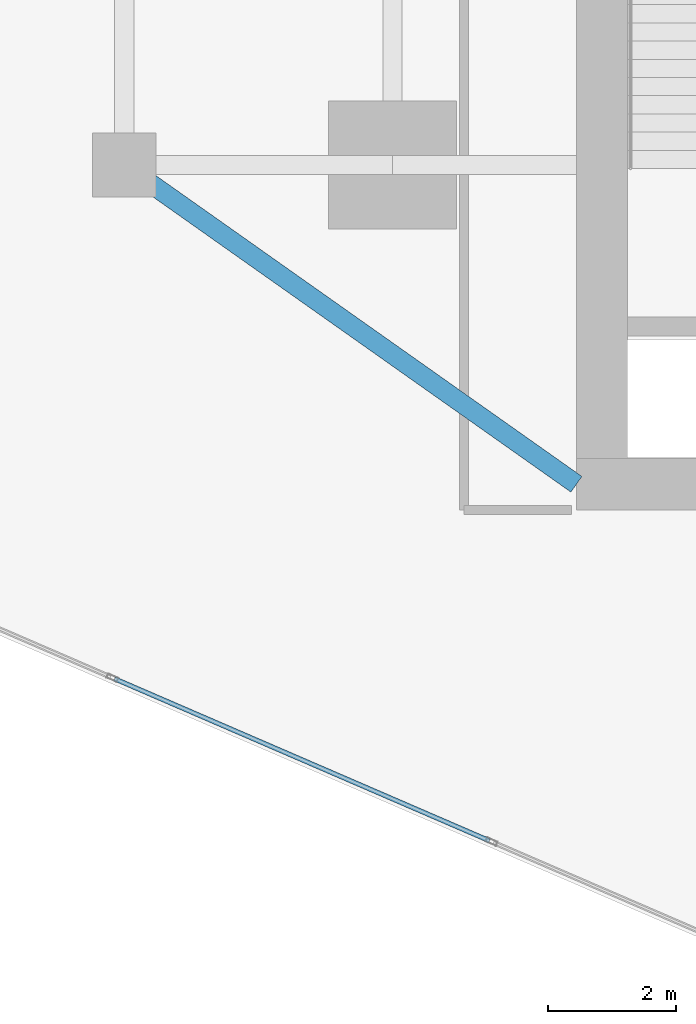
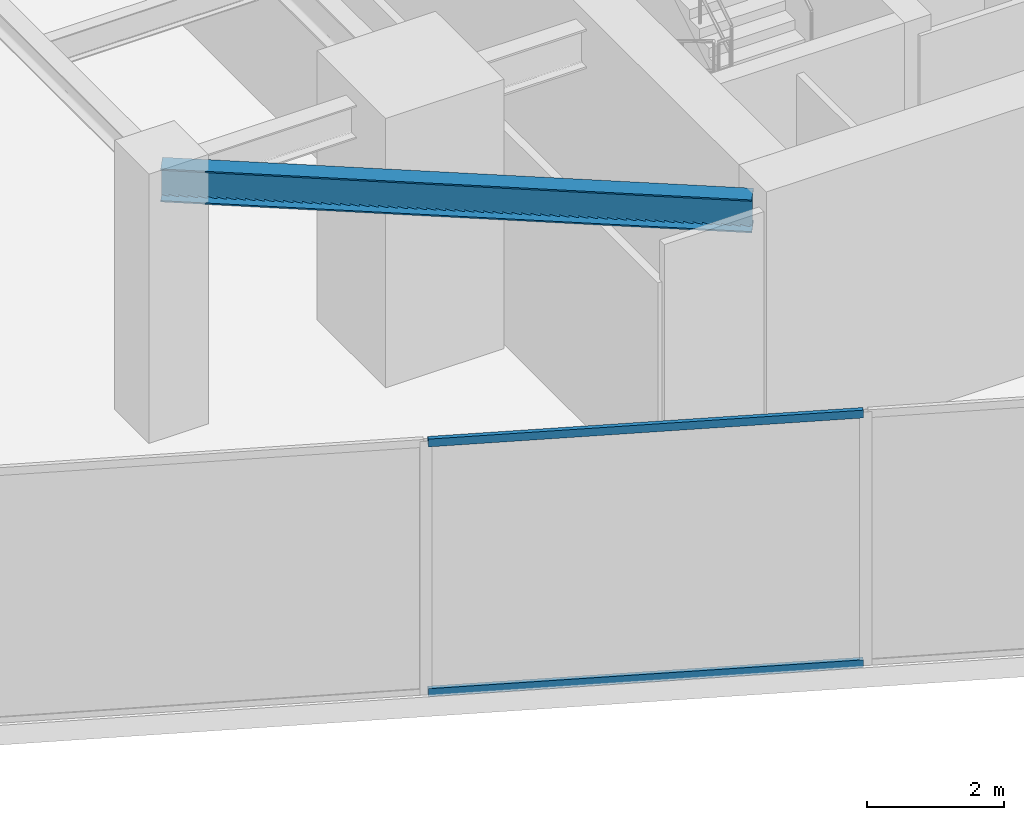
# One storey, part 4 of 24: 2 members, 1 beam, 1 element without a shape of its own.
"""IFC4 building model written with IfcOpenShell, lengths in metres."""

import ifcopenshell
import ifcopenshell.guid

model = None  # the IFC model being written
_history = None  # IfcOwnerHistory: only IFC2X3 demands one
_inside = {}  # id of a spatial element -> (the spatial element, [elements in it])
_under = {}  # id of a project, library or spatial element -> (it, [spatial elements below it])
_declared = {}  # id of a project -> (the project, [libraries it declares])
_typed = {}  # id of a type object -> (the type object, [elements of that type])
_made_of = {}  # id of a material, layer set ... -> (it, [elements and type objects made of it])


def new_model(schema):
    """Start an empty IFC model of exactly this schema.

    Asked for "IFC4X3", IfcOpenShell would pick the latest addendum, in which some entities
    have other attributes; the version numbers below select the first issue.
    IFC2X3 requires an IfcOwnerHistory on every rooted entity: one is made here for all.
    """
    global model, _history
    if schema == "IFC4X3":
        model = ifcopenshell.file(schema_version=(4, 3, 0, 0))
    else:
        model = ifcopenshell.file(schema=schema)
    _inside.clear()
    _under.clear()
    _declared.clear()
    _typed.clear()
    _made_of.clear()
    _history = None
    if model.schema == "IFC2X3":
        org = make("IfcOrganization", Name="unknown")
        user = make(
            "IfcPersonAndOrganization",
            ThePerson=make("IfcPerson", FamilyName="unknown"),
            TheOrganization=org,
        )
        app = make(
            "IfcApplication",
            ApplicationDeveloper=org,
            Version="unknown",
            ApplicationFullName="unknown",
            ApplicationIdentifier="unknown",
        )
        _history = make(
            "IfcOwnerHistory",
            OwningUser=user,
            OwningApplication=app,
            ChangeAction="ADDED",
            CreationDate=0,
        )
    return model


def make(cls, **values):
    """One entity of the class cls with the attributes given. An attribute that is None is left unset."""
    return model.create_entity(
        cls, **{name: value for name, value in values.items() if value is not None}
    )


def rooted(cls, **values):
    """An entity with a GlobalId (a new one), such as an element, a storey or a relation."""
    return make(cls, GlobalId=ifcopenshell.guid.new(), OwnerHistory=_history, **values)


def si_unit(unit_type, name, prefix=None):
    """IfcSIUnit, for example si_unit("LENGTHUNIT", "METRE", prefix="MILLI")."""
    return make("IfcSIUnit", UnitType=unit_type, Prefix=prefix, Name=name)


def assignment(units):
    """IfcUnitAssignment: the units of a project."""
    return None if units is None else make("IfcUnitAssignment", Units=units)


def point(xyz):
    """IfcCartesianPoint."""
    return None if xyz is None else make("IfcCartesianPoint", Coordinates=xyz)


def direction(xyz):
    """IfcDirection."""
    return None if xyz is None else make("IfcDirection", DirectionRatios=xyz)


def frame(location, z_axis=None, x_axis=None):
    """IfcAxis2Placement3D, a coordinate frame: its origin and axes. An axis left out is left unset."""
    return make(
        "IfcAxis2Placement3D",
        Location=point(location),
        Axis=direction(z_axis),
        RefDirection=direction(x_axis),
    )


def frame_2d(location, x_axis=None):
    """IfcAxis2Placement2D, a coordinate frame in the plane: its origin and x axis."""
    return make(
        "IfcAxis2Placement2D", Location=point(location), RefDirection=direction(x_axis)
    )


def origin():
    """The frame at (0, 0, 0) with its axes left unset."""
    return frame((0.0, 0.0, 0.0))


def origin_2d():
    """The frame at (0, 0) in the plane with its x axis left unset."""
    return frame_2d((0.0, 0.0))


def place(relative_to, where):
    """IfcLocalPlacement: puts the frame where relative to a parent placement (None: the world)."""
    return make(
        "IfcLocalPlacement", PlacementRelTo=relative_to, RelativePlacement=where
    )


def context(
    kind, dimensions, precision=None, world=None, true_north=None, identifier=None
):
    """IfcGeometricRepresentationContext, for example the 3D "Model" context."""
    return make(
        "IfcGeometricRepresentationContext",
        ContextIdentifier=identifier,
        ContextType=kind,
        CoordinateSpaceDimension=dimensions,
        Precision=precision,
        WorldCoordinateSystem=world,
        TrueNorth=true_north,
    )


def subcontext(parent, identifier, kind, view, scale=None):
    """IfcGeometricRepresentationSubContext, for example "Body" below "Model"."""
    return make(
        "IfcGeometricRepresentationSubContext",
        ContextIdentifier=identifier,
        ContextType=kind,
        ParentContext=parent,
        TargetScale=scale,
        TargetView=view,
    )


def project(units=None, contexts=None):
    """IfcProject with its units and contexts."""
    return rooted(
        "IfcProject",
        Name="project",
        RepresentationContexts=contexts,
        UnitsInContext=assignment(units),
    )


def spatial(cls, under=None, at=None, **own):
    """A site, building, storey or space (cls), placed at a placement, below another one or the project."""
    s = rooted(cls, ObjectPlacement=at, **own)
    if under is not None:
        _under.setdefault(under.id(), (under, []))[1].append(s)
    return s


def profile(cls, at=None, kind="AREA", **sizes):
    """A parametric profile (cls). Its sizes go by their IFC names, for example OverallWidth=200.0."""
    return make(cls, ProfileType=kind, Position=at, **sizes)


def hollow_rectangle(**sizes):
    """IfcRectangleHollowProfileDef."""
    return profile("IfcRectangleHollowProfileDef", **sizes)


def i_section(**sizes):
    """IfcIShapeProfileDef."""
    return profile("IfcIShapeProfileDef", **sizes)


def extrude(swept, where, along, depth):
    """IfcExtrudedAreaSolid: the profile swept, set in the frame where, extruded along a direction by depth."""
    return make(
        "IfcExtrudedAreaSolid",
        SweptArea=swept,
        Position=where,
        ExtrudedDirection=direction(along),
        Depth=depth,
    )


def shape(context_of_items, identifier, shape_type, items):
    """IfcShapeRepresentation: the items that make up one representation, for example the "Body"."""
    return make(
        "IfcShapeRepresentation",
        ContextOfItems=context_of_items,
        RepresentationIdentifier=identifier,
        RepresentationType=shape_type,
        Items=items,
    )


def source(mapping_origin, context_of_items, identifier, shape_type, items):
    """IfcRepresentationMap: a shape defined once, which mapped items show again and again."""
    return make(
        "IfcRepresentationMap",
        MappingOrigin=mapping_origin,
        MappedRepresentation=shape(context_of_items, identifier, shape_type, items),
    )


def transform(
    local_origin,
    x_axis=None,
    y_axis=None,
    z_axis=None,
    scale=None,
    scale2=None,
    scale3=None,
    uniform=True,
):
    """IfcCartesianTransformationOperator3D, or its non-uniform kind. x_axis, y_axis, z_axis: its Axis1, 2, 3."""
    if uniform:
        return make(
            "IfcCartesianTransformationOperator3D",
            Axis1=direction(x_axis),
            Axis2=direction(y_axis),
            LocalOrigin=point(local_origin),
            Scale=scale,
            Axis3=direction(z_axis),
        )
    return make(
        "IfcCartesianTransformationOperator3DnonUniform",
        Axis1=direction(x_axis),
        Axis2=direction(y_axis),
        LocalOrigin=point(local_origin),
        Scale=scale,
        Axis3=direction(z_axis),
        Scale2=scale2,
        Scale3=scale3,
    )


def mapped(mapping_source, mapping_target):
    """IfcMappedItem: shows the shape of a source again, moved by a transform."""
    return make(
        "IfcMappedItem", MappingSource=mapping_source, MappingTarget=mapping_target
    )


def material(Name=None, Category=None):
    """IfcMaterial."""
    return make("IfcMaterial", Name=Name, Category=Category)


def material_profile(
    of_material, cross_section, Name=None, Category=None, Priority=None
):
    """IfcMaterialProfile: a cross section and its material."""
    return make(
        "IfcMaterialProfile",
        Name=Name,
        Material=of_material,
        Profile=cross_section,
        Priority=Priority,
        Category=Category,
    )


def profile_set(profiles, Name=None, composite=None):
    """IfcMaterialProfileSet."""
    return make(
        "IfcMaterialProfileSet",
        Name=Name,
        MaterialProfiles=profiles,
        CompositeProfile=composite,
    )


def made_of(thing, what):
    """Note that an element or type object is made of a material, layer set ...; save() writes the relation."""
    if what is not None:
        _made_of.setdefault(what.id(), (what, []))[1].append(thing)
    return thing


def type_object(cls, material=None, **own):
    """A type object (cls), such as IfcWallType, which elements share."""
    return made_of(rooted(cls, **own), material)


def type_shapes(of_type, sources):
    """Give a type object the sources (RepresentationMaps) that its elements show as mapped items."""
    of_type.RepresentationMaps = sources


def element(
    cls,
    number,
    at=None,
    inside=None,
    cuts=None,
    type_object=None,
    material=None,
    context=None,
    identifier="Body",
    shape_type=None,
    held_by="IfcProductDefinitionShape",
    body=None,
    shapes=None,
    **own,
):
    """One element of the class cls, such as IfcWall. Its Tag is "e" and its number.

    at: its placement. inside: the storey or other place that contains it. cuts: it is an
    opening in that element (IfcRelVoidsElement). A single representation is given by context,
    identifier, shape_type and body (its items); several are given by shapes. held_by: the class
    of the entity that holds the representations. save() writes the other relations.
    """
    e = rooted(cls, Tag="e%d" % number, ObjectPlacement=at, **own)
    if body is not None:
        shapes = [shape(context, identifier, shape_type, body)]
    if shapes is not None:
        e.Representation = make(held_by, Representations=shapes)
    if inside is not None:
        _inside.setdefault(inside.id(), (inside, []))[1].append(e)
    if cuts is not None:
        rooted(
            "IfcRelVoidsElement", RelatingBuildingElement=cuts, RelatedOpeningElement=e
        )
    if type_object is not None:
        _typed.setdefault(type_object.id(), (type_object, []))[1].append(e)
    return made_of(e, material)


def aggregate(whole, parts):
    """IfcRelAggregates: a whole, such as a stair, and the parts it consists of."""
    return rooted("IfcRelAggregates", RelatingObject=whole, RelatedObjects=parts)


def save(model, path):
    """Write the relations noted so far, then the file.

    IfcRelAggregates (storeys below a building ...), IfcRelContainedInSpatialStructure (elements
    in a storey), IfcRelDefinesByType, IfcRelAssociatesMaterial and IfcRelDeclares: one each for
    every whole, place, type object, material and project.
    """
    for whole, parts in _under.values():
        aggregate(whole, parts)
    for where, things in _inside.values():
        rooted(
            "IfcRelContainedInSpatialStructure",
            RelatedElements=things,
            RelatingStructure=where,
        )
    for kind, things in _typed.values():
        rooted("IfcRelDefinesByType", RelatedObjects=things, RelatingType=kind)
    for what, things in _made_of.values():
        rooted("IfcRelAssociatesMaterial", RelatedObjects=things, RelatingMaterial=what)
    for by, libraries in _declared.values():
        rooted("IfcRelDeclares", RelatingContext=by, RelatedDefinitions=libraries)
    model.write(path)


model = new_model("IFC4")

# Units and contexts
model_context = context("Model", 3, precision=1e-05, world=origin(), true_north=direction((0.0, 1.0)))
body_context = subcontext(model_context, "Body", "Model", "MODEL_VIEW")
ifc_project = project(units=[si_unit("LENGTHUNIT", "METRE"), si_unit("AREAUNIT", "SQUARE_METRE"), si_unit("VOLUMEUNIT", "CUBIC_METRE"), si_unit("PLANEANGLEUNIT", "RADIAN"), si_unit("MASSUNIT", "GRAM", prefix="KILO")], contexts=[model_context])

# Site, building, storey
site_placement = place(None, origin())
site = spatial("IfcSite", under=ifc_project, at=site_placement, CompositionType="ELEMENT")
building_placement = place(site_placement, origin())
building = spatial("IfcBuilding", under=site, at=building_placement, Name="Krantzveldt Concourse Tower", CompositionType="ELEMENT")
storey_placement = place(building_placement, frame((0.0, 0.0, 141.39990234375)))
storey = spatial("IfcBuildingStorey", under=building, at=storey_placement, Name="L34", CompositionType="ELEMENT", Elevation=141.39990234375)

# Beam
ifc_material_1 = material(Name="Steel S355JR", Category="steel")
ifc_material_profile_1 = material_profile(ifc_material_1, i_section(OverallWidth=0.300048828125, OverallDepth=0.590087890625, WebThickness=0.012939453125, FlangeThickness=0.02490234375, FilletRadius=0.027099609375, at=origin_2d()), Name="Steel S355JR", Category="steel")
ifc_profile_set_1 = profile_set([ifc_material_profile_1], Name="Steel S355JR - HEA 600")
beam_type = type_object("IfcBeamType", Name="BM-B-HEA600", PredefinedType="BEAM", material=ifc_profile_set_1)
shared_shape_1 = source(origin(), body_context, "Body", "SweptSolid", [
    extrude(i_section(OverallWidth=0.300048828125, OverallDepth=0.590087890625, WebThickness=0.012939453125, FlangeThickness=0.02490234375, FilletRadius=0.027099609375, at=origin_2d()), origin(), (0.0, 0.0, 1.0), 8.667724609375),
])
type_shapes(beam_type, [shared_shape_1])
beam_placement = place(storey_placement, frame((21.0, 15.89990234375, 4.22509765625), z_axis=(0.81684294656, -0.576860122261, 0.0), x_axis=(0.576860122261, 0.81684294656, 0.0)))
element("IfcBeam", 1, at=beam_placement, inside=storey, type_object=beam_type, Name="L34 Tower Girder BR-CSW", PredefinedType="BEAM", context=body_context, shape_type="MappedRepresentation", body=[
    mapped(shared_shape_1, transform((0.0, 0.0, 0.0), x_axis=(1.0, 0.0, 0.0), y_axis=(0.0, 1.0, 0.0), z_axis=(0.0, 0.0, 1.0), scale=1.0)),
])

# Curtain wall, members
ifc_material_2 = material(Name="Anodised aluminium 6063-T6", Category="aluminium")
curtain_wall_type = type_object("IfcCurtainWallType", Name="CW5", PredefinedType="USERDEFINED", material=ifc_material_2)
curtain_wall_placement = place(storey_placement, origin())
curtain_wall = element("IfcCurtainWall", 2, at=curtain_wall_placement, inside=storey, type_object=curtain_wall_type, Name="CW-L34-F04", ObjectType="UNITISED CURTAIN WALL", PredefinedType="USERDEFINED")
ifc_material_profile_2 = material_profile(ifc_material_2, hollow_rectangle(XDim=0.070068359375, YDim=0.139892578125, WallThickness=0.0048828125, at=origin_2d()), Name="Anodised aluminium 6063-T6", Category="aluminium")
ifc_profile_set_2 = profile_set([ifc_material_profile_2], Name="Anodised aluminium 6063-T6 - ALU-TRAN 140x70x5")
member_type = type_object("IfcMemberType", Name="CW-TRN-150", PredefinedType="USERDEFINED", material=ifc_profile_set_2)
shared_shape_2 = source(origin(), body_context, "Body", "SweptSolid", [
    extrude(hollow_rectangle(XDim=0.070068359375, YDim=0.139892578125, WallThickness=0.0048828125, at=origin_2d()), origin(), (0.0, 0.0, 1.0), 6.396728515625),
])
type_shapes(member_type, [shared_shape_2])
member_1_placement = place(storey_placement, frame((20.847900390625, 7.854736328125, 0.03515625), z_axis=(0.917932552961, -0.396736471998, 0.0), x_axis=(0.396736471998, 0.917932552961, 0.0)))
member_1 = element("IfcMember", 3, at=member_1_placement, type_object=member_type, Name="CW-SKY transom 3.1", ObjectType="TRANSOM", PredefinedType="USERDEFINED", context=body_context, shape_type="MappedRepresentation", body=[
    mapped(shared_shape_2, transform((0.0, 0.0, 0.0), x_axis=(1.0, 0.0, 0.0), y_axis=(0.0, 1.0, 0.0), z_axis=(0.0, 0.0, 1.0), scale=1.0)),
])
member_2_placement = place(storey_placement, frame((20.847900390625, 7.854736328125, 4.485107421875), z_axis=(0.917932552961, -0.396736471998, 0.0), x_axis=(0.396736471998, 0.917932552961, 0.0)))
member_2 = element("IfcMember", 4, at=member_2_placement, type_object=member_type, Name="CW-SKY transom 3.2", ObjectType="TRANSOM", PredefinedType="USERDEFINED", context=body_context, shape_type="MappedRepresentation", body=[
    mapped(shared_shape_2, transform((0.0, 0.0, 0.0), x_axis=(1.0, 0.0, 0.0), y_axis=(0.0, 1.0, 0.0), z_axis=(0.0, 0.0, 1.0), scale=1.0)),
])
aggregate(curtain_wall, [member_1, member_2])

save(model, "model.ifc")
